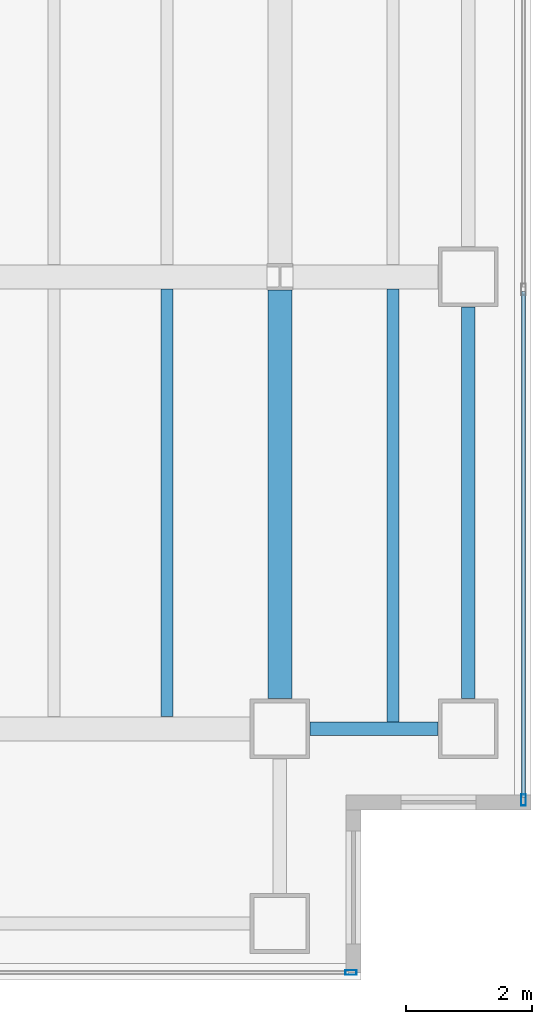
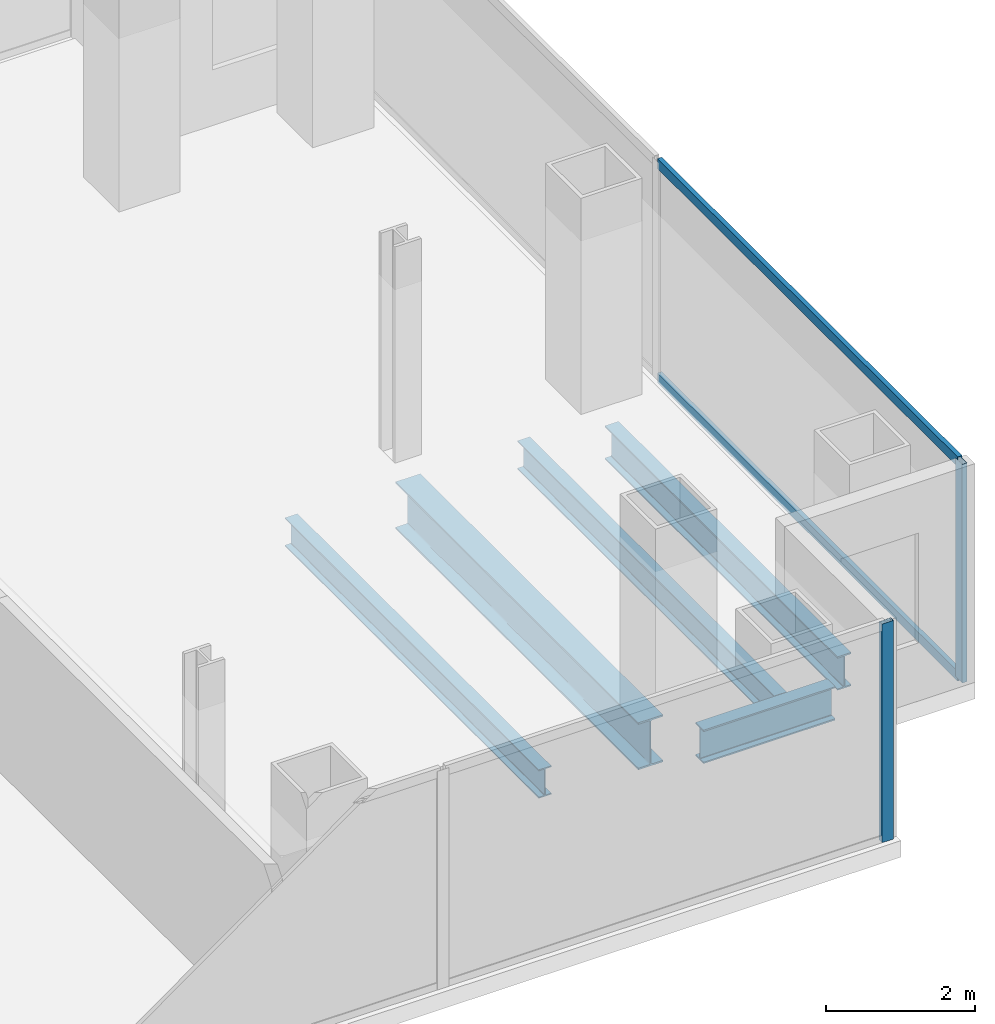
# One storey, part 11 of 24: 5 beams, 4 members, 2 elements without a shape of their own.
"""IFC4 building model written with IfcOpenShell, lengths in metres."""

from ifc_helpers import new_model, si_unit, direction, frame, origin, origin_2d, place, context, subcontext, project, spatial, hollow_rectangle, i_section, extrude, material, material_profile, profile_set, type_object, element, aggregate, save


model = new_model("IFC4")

# Units and contexts
model_context = context("Model", 3, precision=1e-05, world=origin(), true_north=direction((0.0, 1.0)))
body_context = subcontext(model_context, "Body", "Model", "MODEL_VIEW")
ifc_project = project(units=[si_unit("LENGTHUNIT", "METRE"), si_unit("AREAUNIT", "SQUARE_METRE"), si_unit("VOLUMEUNIT", "CUBIC_METRE"), si_unit("PLANEANGLEUNIT", "RADIAN"), si_unit("MASSUNIT", "GRAM", prefix="KILO")], contexts=[model_context])

# Site, building, storey
site_placement = place(None, origin())
site = spatial("IfcSite", under=ifc_project, at=site_placement, CompositionType="ELEMENT")
building_placement = place(site_placement, origin())
building = spatial("IfcBuilding", under=site, at=building_placement, Name="Cobrela Telecom Tower", CompositionType="ELEMENT")
storey_placement = place(building_placement, frame((0.0, 0.0, 106.050048828125)))
storey = spatial("IfcBuildingStorey", under=building, at=storey_placement, Name="L26", CompositionType="ELEMENT", Elevation=106.050048828125)

# Beams
ifc_material_1 = material(Name="Steel ASTM A992 Grade 50", Category="steel")
ifc_material_profile_1 = material_profile(ifc_material_1, i_section(OverallWidth=0.381103515625, OverallDepth=0.77197265625, WebThickness=0.0166015625, FlangeThickness=0.027099609375, FilletRadius=0.01904296875, at=origin_2d()), Name="W30X173")
ifc_profile_set_1 = profile_set([ifc_material_profile_1], Name="Steel ASTM A992 Grade 50")
beam_type_1 = type_object("IfcBeamType", Name="BM-GIRD-04", PredefinedType="USERDEFINED", material=ifc_profile_set_1)
beam_1_placement = place(storey_placement, frame((43.199951171875, 7.679931640625, -0.656005859375), z_axis=(0.0, 1.0, 0.0), x_axis=(-1.0, 0.0, 0.0)))
element("IfcBeam", 1, at=beam_1_placement, inside=storey, type_object=beam_type_1, Name="L26 Primary Girder Y53", ObjectType="GIRDER", PredefinedType="USERDEFINED", context=body_context, shape_type="SweptSolid", body=[
    extrude(i_section(OverallWidth=0.381103515625, OverallDepth=0.77197265625, WebThickness=0.0166015625, FlangeThickness=0.027099609375, FilletRadius=0.01904296875, at=origin_2d()), origin(), (0.0, 0.0, 1.0), 6.510498046875),
])
ifc_material_profile_2 = material_profile(ifc_material_1, i_section(OverallWidth=0.193115234375, OverallDepth=0.467041015625, WebThickness=0.011474609375, FlangeThickness=0.01904296875, FilletRadius=0.012939453125, at=origin_2d()), Name="W18X65")
ifc_profile_set_2 = profile_set([ifc_material_profile_2], Name="Steel ASTM A992 Grade 50")
beam_type_2 = type_object("IfcBeamType", Name="BM-JOIST-03", PredefinedType="JOIST", material=ifc_profile_set_2)
beam_2_placement = place(storey_placement, frame((41.39990234375, 7.3955078125, -0.503662109375), z_axis=(0.0, 1.0, 0.0), x_axis=(-1.0, 0.0, 0.0)))
element("IfcBeam", 2, at=beam_2_placement, inside=storey, type_object=beam_type_2, Name="L26 Secondary Composite Floor Beam J37", PredefinedType="JOIST", context=body_context, shape_type="SweptSolid", body=[
    extrude(i_section(OverallWidth=0.193115234375, OverallDepth=0.467041015625, WebThickness=0.011474609375, FlangeThickness=0.01904296875, FilletRadius=0.012939453125, at=origin_2d()), origin(), (0.0, 0.0, 1.0), 6.80908203125),
])
beam_3_placement = place(storey_placement, frame((45.0, 7.3115234375, -0.503662109375), z_axis=(0.0, 1.0, 0.0), x_axis=(-1.0, 0.0, 0.0)))
element("IfcBeam", 3, at=beam_3_placement, inside=storey, type_object=beam_type_2, Name="L26 Secondary Composite Floor Beam J39", PredefinedType="JOIST", context=body_context, shape_type="SweptSolid", body=[
    extrude(i_section(OverallWidth=0.193115234375, OverallDepth=0.467041015625, WebThickness=0.011474609375, FlangeThickness=0.01904296875, FilletRadius=0.012939453125, at=origin_2d()), origin(), (0.0, 0.0, 1.0), 6.89306640625),
])
ifc_material_profile_3 = material_profile(ifc_material_1, i_section(OverallWidth=0.212890625, OverallDepth=0.549072265625, WebThickness=0.0146484375, FlangeThickness=0.023681640625, FilletRadius=0.013916015625, at=origin_2d()), Name="W21X93")
ifc_profile_set_3 = profile_set([ifc_material_profile_3], Name="Steel ASTM A992 Grade 50")
beam_type_3 = type_object("IfcBeamType", Name="BM-SPAND-03", PredefinedType="SPANDREL", material=ifc_profile_set_3)
beam_4_placement = place(storey_placement, frame((43.679931640625, 7.199951171875, -0.54443359375), z_axis=(1.0, 0.0, 0.0), x_axis=(0.0, 1.0, 0.0)))
element("IfcBeam", 4, at=beam_4_placement, inside=storey, type_object=beam_type_3, Name="L26 Perimeter Spandrel X12", PredefinedType="SPANDREL", context=body_context, shape_type="SweptSolid", body=[
    extrude(i_section(OverallWidth=0.212890625, OverallDepth=0.549072265625, WebThickness=0.0146484375, FlangeThickness=0.023681640625, FilletRadius=0.013916015625, at=origin_2d()), origin(), (0.0, 0.0, 1.0), 2.0400390625),
])
beam_5_placement = place(storey_placement, frame((46.199951171875, 7.679931640625, -0.54443359375), z_axis=(0.0, 1.0, 0.0), x_axis=(-1.0, 0.0, 0.0)))
element("IfcBeam", 5, at=beam_5_placement, inside=storey, type_object=beam_type_3, Name="L26 Perimeter Spandrel Y55", PredefinedType="SPANDREL", context=body_context, shape_type="SweptSolid", body=[
    extrude(i_section(OverallWidth=0.212890625, OverallDepth=0.549072265625, WebThickness=0.0146484375, FlangeThickness=0.023681640625, FilletRadius=0.013916015625, at=origin_2d()), origin(), (0.0, 0.0, 1.0), 6.239990234375),
])

# Curtain wall, member
ifc_material_2 = material(Name="Anodized Bronze Aluminium 6063-T6", Category="aluminium")
curtain_wall_type = type_object("IfcCurtainWallType", Name="CW-SYS-TEL", PredefinedType="USERDEFINED", material=ifc_material_2)
curtain_wall_1_placement = place(storey_placement, origin())
curtain_wall_1 = element("IfcCurtainWall", 6, at=curtain_wall_1_placement, inside=storey, type_object=curtain_wall_type, Name="L26 Unitised Bronze Curtain Wall 14", ObjectType="UNITISED CURTAIN WALL", PredefinedType="USERDEFINED")
ifc_material_profile_4 = material_profile(ifc_material_2, hollow_rectangle(XDim=0.074951171875, YDim=0.179931640625, WallThickness=0.00390625, at=origin_2d()), Name="ALU 75x180x4")
ifc_profile_set_4 = profile_set([ifc_material_profile_4], Name="Anodized Bronze Aluminium 6063-T6")
member_type_1 = type_object("IfcMemberType", Name="CW-SYS-TEL-MUL", PredefinedType="MULLION", material=ifc_profile_set_4)
member_1_placement = place(storey_placement, frame((47.080078125, 6.0673828125, 0.0), z_axis=(0.0, 0.0, 1.0), x_axis=(1.0, 0.0, 0.0)))
member_1 = element("IfcMember", 7, at=member_1_placement, type_object=member_type_1, Name="CW-TEL mullion 3", PredefinedType="MULLION", context=body_context, shape_type="SweptSolid", body=[
    extrude(hollow_rectangle(XDim=0.074951171875, YDim=0.179931640625, WallThickness=0.00390625, at=origin_2d()), origin(), (0.0, 0.0, 1.0), 3.579833984375),
])

curtain_wall_2_placement = place(storey_placement, origin())
curtain_wall_2 = element("IfcCurtainWall", 8, at=curtain_wall_2_placement, inside=storey, type_object=curtain_wall_type, Name="L26 Unitised Bronze Curtain Wall 17", ObjectType="UNITISED CURTAIN WALL", PredefinedType="USERDEFINED")
member_2_placement = place(storey_placement, frame((44.33251953125, 3.320068359375, 0.0), z_axis=(0.0, 0.0, 1.0), x_axis=(0.0, -1.0, 0.0)))
member_2 = element("IfcMember", 9, at=member_2_placement, type_object=member_type_1, Name="CW-TEL mullion 1", PredefinedType="MULLION", context=body_context, shape_type="SweptSolid", body=[
    extrude(hollow_rectangle(XDim=0.074951171875, YDim=0.179931640625, WallThickness=0.00390625, at=origin_2d()), origin(), (0.0, 0.0, 1.0), 3.579833984375),
])
aggregate(curtain_wall_2, [member_2])

# Member
ifc_material_profile_5 = material_profile(ifc_material_2, hollow_rectangle(XDim=0.070068359375, YDim=0.159912109375, WallThickness=0.00390625, at=origin_2d()), Name="ALU 70x160x4")
ifc_profile_set_5 = profile_set([ifc_material_profile_5], Name="Anodized Bronze Aluminium 6063-T6")
member_type_2 = type_object("IfcMemberType", Name="CW-SYS-TEL-TRN", PredefinedType="USERDEFINED", material=ifc_profile_set_5)
member_3_placement = place(storey_placement, frame((47.080078125, 14.16259765625, 0.034912109375), z_axis=(0.0, -1.0, 0.0), x_axis=(1.0, 0.0, 0.0)))
member_3 = element("IfcMember", 10, at=member_3_placement, type_object=member_type_2, Name="CW-TEL transom 2.1", ObjectType="TRANSOM", PredefinedType="USERDEFINED", context=body_context, shape_type="SweptSolid", body=[
    extrude(hollow_rectangle(XDim=0.070068359375, YDim=0.159912109375, WallThickness=0.00390625, at=origin_2d()), origin(), (0.0, 0.0, 1.0), 8.0576171875),
])

member_4_placement = place(storey_placement, frame((47.080078125, 14.16259765625, 3.544921875), z_axis=(0.0, -1.0, 0.0), x_axis=(1.0, 0.0, 0.0)))
member_4 = element("IfcMember", 11, at=member_4_placement, type_object=member_type_2, Name="CW-TEL transom 2.2", ObjectType="TRANSOM", PredefinedType="USERDEFINED", context=body_context, shape_type="SweptSolid", body=[
    extrude(hollow_rectangle(XDim=0.070068359375, YDim=0.159912109375, WallThickness=0.00390625, at=origin_2d()), origin(), (0.0, 0.0, 1.0), 8.0576171875),
])

aggregate(curtain_wall_1, [member_1, member_3, member_4])

save(model, "model.ifc")
